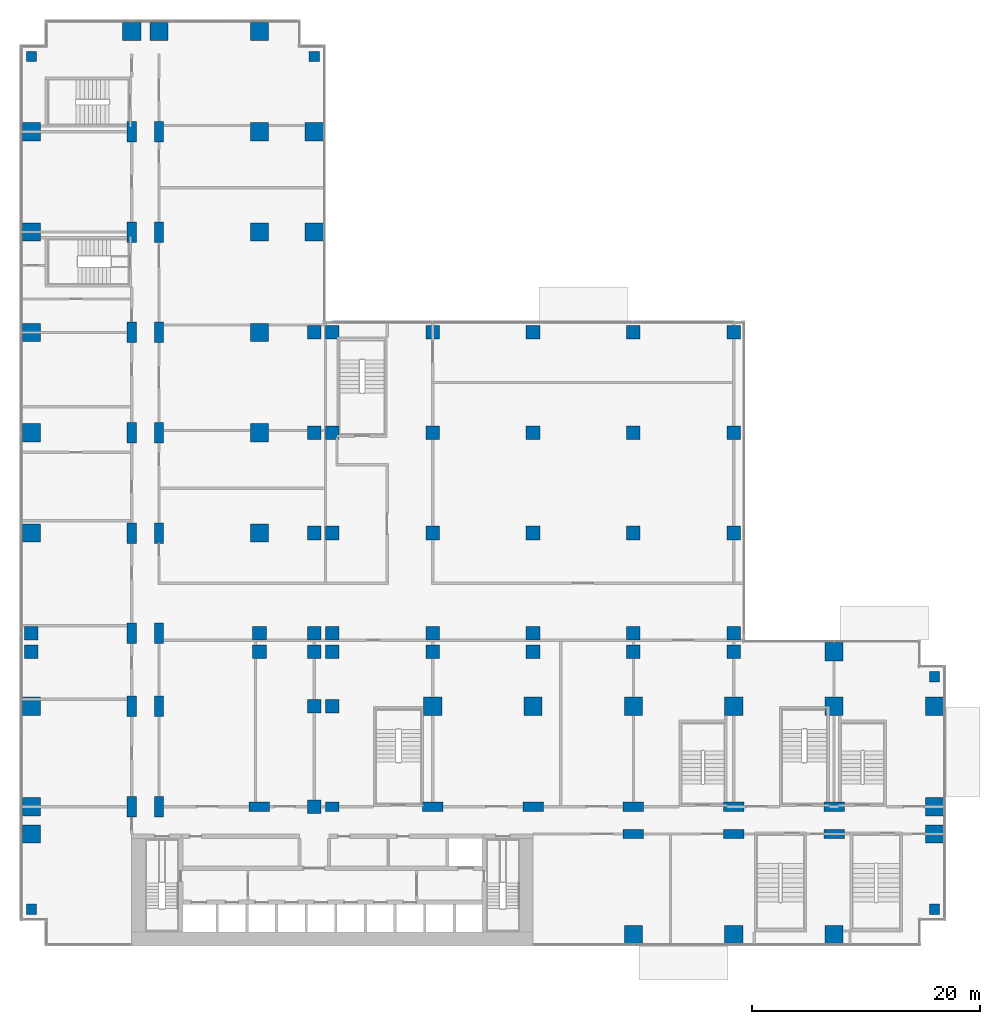
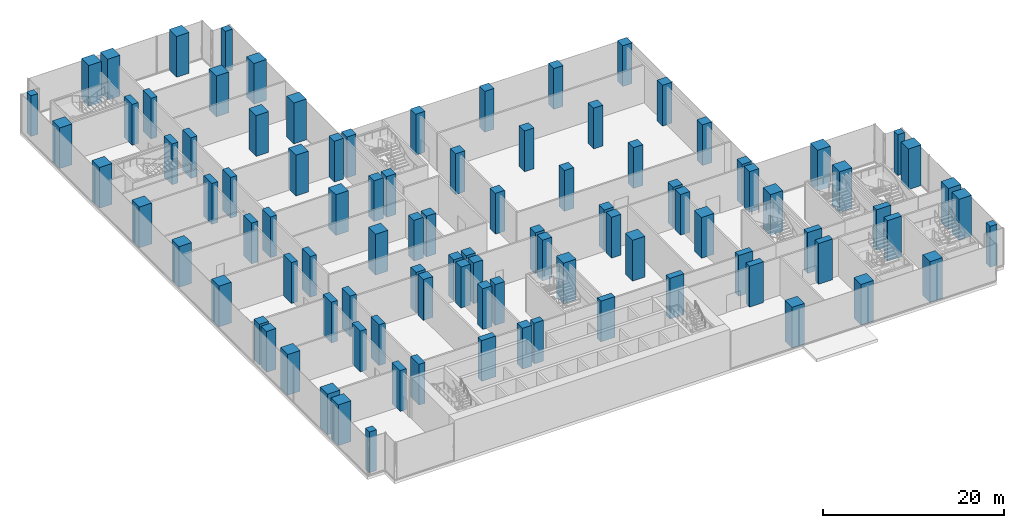
# One storey, part 1 of 30: 98 columns.
"""IFC4 building model written with IfcOpenShell, lengths in metres."""

from ifc_helpers import new_model, si_unit, direction, frame, origin, origin_2d, place, context, subcontext, project, spatial, rectangle, extrude, material, material_profile, profile_set, type_object, element, save


model = new_model("IFC4")

# Units and contexts
model_context = context("Model", 3, precision=1e-05, world=origin(), true_north=direction((0.0, 1.0)))
body_context = subcontext(model_context, "Body", "Model", "MODEL_VIEW")
ifc_project = project(units=[si_unit("LENGTHUNIT", "METRE"), si_unit("AREAUNIT", "SQUARE_METRE"), si_unit("VOLUMEUNIT", "CUBIC_METRE"), si_unit("PLANEANGLEUNIT", "RADIAN"), si_unit("MASSUNIT", "GRAM", prefix="KILO")], contexts=[model_context])

# Site, building, storey
site_placement = place(None, origin())
site = spatial("IfcSite", under=ifc_project, at=site_placement, CompositionType="ELEMENT")
building_placement = place(site_placement, origin())
building = spatial("IfcBuilding", under=site, at=building_placement, Name="Kemantara Hotel Tower", CompositionType="ELEMENT")
storey_placement = place(building_placement, frame((0.0, 0.0, 7.5)))
storey = spatial("IfcBuildingStorey", under=building, at=storey_placement, Name="L01", CompositionType="ELEMENT", Elevation=7.5)

# Columns
ifc_material = material(Name="Concrete fc 70 MPa", Category="concrete")
ifc_material_profile_1 = material_profile(ifc_material, rectangle(XDim=1.199951171875, YDim=1.199951171875, at=origin_2d()), Name="RC 1200X1200")
ifc_profile_set_1 = profile_set([ifc_material_profile_1], Name="Concrete fc 70 MPa")
column_type_1 = type_object("IfcColumnType", Name="RC COLUMN 1200X1200 FC70", PredefinedType="COLUMN", material=ifc_profile_set_1)
for number, where, z_axis, x_axis, name in (
    (1, (1.0, 25.800048828125, 0.0), (0.0, 0.0, 1.0), (1.0, 0.0, 0.0), "COLUMN 1/CA L01"),
    (2, (1.0, 27.39990234375, 0.0), (0.0, 0.0, 1.0), (1.0, 0.0, 0.0), "COLUMN 1/D L01"),
    (3, (21.0, 25.800048828125, 0.0), (0.0, 0.0, 1.0), (1.0, 0.0, 0.0), "COLUMN 3/CA L01"),
    (4, (21.0, 27.39990234375, 0.0), (0.0, 0.0, 1.0), (1.0, 0.0, 0.0), "COLUMN 3/D L01"),
    (5, (25.800048828125, 12.199951171875, 0.0), (0.0, 0.0, 1.0), (1.0, 0.0, 0.0), "COLUMN 3A/BA L01"),
    (6, (25.800048828125, 21.0, 0.0), (0.0, 0.0, 1.0), (1.0, 0.0, 0.0), "COLUMN 3A/C L01"),
    (7, (25.800048828125, 25.800048828125, 0.0), (0.0, 0.0, 1.0), (1.0, 0.0, 0.0), "COLUMN 3A/CA L01"),
    (8, (25.800048828125, 27.39990234375, 0.0), (0.0, 0.0, 1.0), (1.0, 0.0, 0.0), "COLUMN 3A/D L01"),
    (9, (25.800048828125, 36.199951171875, 0.0), (0.0, 0.0, 1.0), (1.0, 0.0, 0.0), "COLUMN 3A/E L01"),
    (10, (25.800048828125, 45.0, 0.0), (0.0, 0.0, 1.0), (1.0, 0.0, 0.0), "COLUMN 3A/F L01"),
    (11, (25.800048828125, 53.800048828125, 0.0), (0.0, 0.0, 1.0), (1.0, 0.0, 0.0), "COLUMN 3A/G L01"),
    (12, (27.39990234375, 21.0, 0.0), (0.0, 0.0, 1.0), (1.0, 0.0, 0.0), "COLUMN 4/C L01"),
    (13, (27.39990234375, 25.800048828125, 0.0), (0.0, 0.0, 1.0), (1.0, 0.0, 0.0), "COLUMN 4/CA L01"),
    (14, (36.199951171875, 25.800048828125, 0.0), (0.0, 0.0, 1.0), (1.0, 0.0, 0.0), "COLUMN 5/CA L01"),
    (15, (45.0, 25.800048828125, 0.0), (0.0, 0.0, 1.0), (1.0, 0.0, 0.0), "COLUMN 6/CA L01"),
    (16, (53.800048828125, 25.800048828125, 0.0), (0.0, 0.0, 1.0), (1.0, 0.0, 0.0), "COLUMN 7/CA L01"),
    (17, (62.60009765625, 25.800048828125, 0.0), (0.0, 0.0, 1.0), (1.0, 0.0, 0.0), "COLUMN 8/CA L01"),
    (18, (27.39990234375, 27.39990234375, 0.0), (0.0, 0.0, 1.0), (1.0, 0.0, 0.0), "COLUMN 4/D L01"),
    (19, (27.39990234375, 36.199951171875, 0.0), (0.0, 0.0, 1.0), (1.0, 0.0, 0.0), "COLUMN 4/E L01"),
    (20, (27.39990234375, 45.0, 0.0), (0.0, 0.0, 1.0), (1.0, 0.0, 0.0), "COLUMN 4/F L01"),
    (21, (27.39990234375, 53.800048828125, 0.0), (0.0, 0.0, 1.0), (1.0, 0.0, 0.0), "COLUMN 4/G L01"),
    (22, (36.199951171875, 27.39990234375, 0.0), (0.0, 0.0, 1.0), (1.0, 0.0, 0.0), "COLUMN 5/D L01"),
    (23, (36.199951171875, 36.199951171875, 0.0), (0.0, 0.0, 1.0), (1.0, 0.0, 0.0), "COLUMN 5/E L01"),
    (24, (36.199951171875, 45.0, 0.0), (0.0, 0.0, 1.0), (1.0, 0.0, 0.0), "COLUMN 5/F L01"),
    (25, (36.199951171875, 53.800048828125, 0.0), (0.0, 0.0, 1.0), (1.0, 0.0, 0.0), "COLUMN 5/G L01"),
    (26, (45.0, 27.39990234375, 0.0), (0.0, 0.0, 1.0), (1.0, 0.0, 0.0), "COLUMN 6/D L01"),
    (27, (45.0, 36.199951171875, 0.0), (0.0, 0.0, 1.0), (1.0, 0.0, 0.0), "COLUMN 6/E L01"),
    (28, (45.0, 45.0, 0.0), (0.0, 0.0, 1.0), (1.0, 0.0, 0.0), "COLUMN 6/F L01"),
    (29, (45.0, 53.800048828125, 0.0), (0.0, 0.0, 1.0), (1.0, 0.0, 0.0), "COLUMN 6/G L01"),
    (30, (53.800048828125, 27.39990234375, 0.0), (0.0, 0.0, 1.0), (1.0, 0.0, 0.0), "COLUMN 7/D L01"),
    (31, (53.800048828125, 36.199951171875, 0.0), (0.0, 0.0, 1.0), (1.0, 0.0, 0.0), "COLUMN 7/E L01"),
    (32, (53.800048828125, 45.0, 0.0), (0.0, 0.0, 1.0), (1.0, 0.0, 0.0), "COLUMN 7/F L01"),
    (33, (53.800048828125, 53.800048828125, 0.0), (0.0, 0.0, 1.0), (1.0, 0.0, 0.0), "COLUMN 7/G L01"),
    (34, (62.60009765625, 27.39990234375, 0.0), (0.0, 0.0, 1.0), (1.0, 0.0, 0.0), "COLUMN 8/D L01"),
    (35, (62.60009765625, 36.199951171875, 0.0), (0.0, 0.0, 1.0), (1.0, 0.0, 0.0), "COLUMN 8/E L01"),
    (36, (62.60009765625, 45.0, 0.0), (0.0, 0.0, 1.0), (1.0, 0.0, 0.0), "COLUMN 8/F L01"),
    (37, (62.60009765625, 53.800048828125, 0.0), (0.0, 0.0, 1.0), (1.0, 0.0, 0.0), "COLUMN 8/G L01"),
):
    element("IfcColumn", number, at=place(storey_placement, frame(where, z_axis=z_axis, x_axis=x_axis)), inside=storey, type_object=column_type_1, Name=name, PredefinedType="COLUMN", context=body_context, shape_type="SweptSolid", body=[
        extrude(rectangle(XDim=1.199951171875, YDim=1.199951171875, at=origin_2d()), origin(), (0.0, 0.0, 1.0), 5.5),
    ])
ifc_material_profile_2 = material_profile(ifc_material, rectangle(XDim=1.199951171875, YDim=0.800048828125, at=origin_2d()), Name="RC 1200X800")
ifc_profile_set_2 = profile_set([ifc_material_profile_2], Name="Concrete fc 70 MPa")
column_type_2 = type_object("IfcColumnType", Name="RC COLUMN 1200X800 FC70", PredefinedType="COLUMN", material=ifc_profile_set_2)
column_placement = place(storey_placement, frame((27.39990234375, 12.199951171875, 0.0), z_axis=(0.0, 0.0, 1.0), x_axis=(1.0, 0.0, 0.0)))
element("IfcColumn", 38, at=column_placement, inside=storey, type_object=column_type_2, Name="COLUMN 4/BA L01", PredefinedType="COLUMN", context=body_context, shape_type="SweptSolid", body=[
    extrude(rectangle(XDim=1.199951171875, YDim=0.800048828125, at=origin_2d()), origin(), (0.0, 0.0, 1.0), 5.5),
])
ifc_material_profile_3 = material_profile(ifc_material, rectangle(XDim=1.60009765625, YDim=1.60009765625, at=origin_2d()), Name="RC 1600X1600")
ifc_profile_set_3 = profile_set([ifc_material_profile_3], Name="Concrete fc 70 MPa")
column_type_3 = type_object("IfcColumnType", Name="RC COLUMN 1600X1600 FC70", PredefinedType="COLUMN", material=ifc_profile_set_3)
for number, where, z_axis, x_axis, name in (
    (39, (1.0, 9.800048828125, 0.0), (0.0, 0.0, 1.0), (1.0, 0.0, 0.0), "COLUMN 1/B L01"),
    (40, (1.0, 12.199951171875, 0.0), (0.0, 0.0, 1.0), (1.0, 0.0, 0.0), "COLUMN 1/BA L01"),
    (41, (1.0, 21.0, 0.0), (0.0, 0.0, 1.0), (1.0, 0.0, 0.0), "COLUMN 1/C L01"),
    (42, (1.0, 36.199951171875, 0.0), (0.0, 0.0, 1.0), (1.0, 0.0, 0.0), "COLUMN 1/E L01"),
    (43, (1.0, 45.0, 0.0), (0.0, 0.0, 1.0), (1.0, 0.0, 0.0), "COLUMN 1/F L01"),
    (44, (1.0, 53.800048828125, 0.0), (0.0, 0.0, 1.0), (1.0, 0.0, 0.0), "COLUMN 1/G L01"),
    (45, (1.0, 62.60009765625, 0.0), (0.0, 0.0, 1.0), (1.0, 0.0, 0.0), "COLUMN 1/H L01"),
    (46, (1.0, 71.39990234375, 0.0), (0.0, 0.0, 1.0), (1.0, 0.0, 0.0), "COLUMN 1/J L01"),
    (47, (9.800048828125, 80.199951171875, 0.0), (0.0, 0.0, 1.0), (1.0, 0.0, 0.0), "COLUMN 2/K L01"),
    (48, (12.199951171875, 80.199951171875, 0.0), (0.0, 0.0, 1.0), (1.0, 0.0, 0.0), "COLUMN 2A/K L01"),
    (49, (21.0, 36.199951171875, 0.0), (0.0, 0.0, 1.0), (1.0, 0.0, 0.0), "COLUMN 3/E L01"),
    (50, (21.0, 45.0, 0.0), (0.0, 0.0, 1.0), (1.0, 0.0, 0.0), "COLUMN 3/F L01"),
    (51, (21.0, 53.800048828125, 0.0), (0.0, 0.0, 1.0), (1.0, 0.0, 0.0), "COLUMN 3/G L01"),
    (52, (21.0, 62.60009765625, 0.0), (0.0, 0.0, 1.0), (1.0, 0.0, 0.0), "COLUMN 3/H L01"),
    (53, (21.0, 71.39990234375, 0.0), (0.0, 0.0, 1.0), (1.0, 0.0, 0.0), "COLUMN 3/J L01"),
    (54, (21.0, 80.199951171875, 0.0), (0.0, 0.0, 1.0), (1.0, 0.0, 0.0), "COLUMN 3/K L01"),
    (55, (25.800048828125, 62.60009765625, 0.0), (0.0, 0.0, 1.0), (1.0, 0.0, 0.0), "COLUMN 3A/H L01"),
    (56, (25.800048828125, 71.39990234375, 0.0), (0.0, 0.0, 1.0), (1.0, 0.0, 0.0), "COLUMN 3A/J L01"),
    (57, (36.199951171875, 21.0, 0.0), (0.0, 0.0, 1.0), (1.0, 0.0, 0.0), "COLUMN 5/C L01"),
    (58, (45.0, 21.0, 0.0), (0.0, 0.0, 1.0), (1.0, 0.0, 0.0), "COLUMN 6/C L01"),
    (59, (53.800048828125, 1.0, 0.0), (0.0, 0.0, 1.0), (1.0, 0.0, 0.0), "COLUMN 7/A L01"),
    (60, (53.800048828125, 21.0, 0.0), (0.0, 0.0, 1.0), (1.0, 0.0, 0.0), "COLUMN 7/C L01"),
    (61, (62.60009765625, 1.0, 0.0), (0.0, 0.0, 1.0), (1.0, 0.0, 0.0), "COLUMN 8/A L01"),
    (62, (62.60009765625, 21.0, 0.0), (0.0, 0.0, 1.0), (1.0, 0.0, 0.0), "COLUMN 8/C L01"),
    (63, (71.39990234375, 1.0, 0.0), (0.0, 0.0, 1.0), (1.0, 0.0, 0.0), "COLUMN 9/A L01"),
    (64, (71.39990234375, 21.0, 0.0), (0.0, 0.0, 1.0), (1.0, 0.0, 0.0), "COLUMN 9/C L01"),
    (65, (71.39990234375, 25.800048828125, 0.0), (0.0, 0.0, 1.0), (1.0, 0.0, 0.0), "COLUMN 9/CA L01"),
    (66, (80.199951171875, 9.800048828125, 0.0), (0.0, 0.0, 1.0), (1.0, 0.0, 0.0), "COLUMN 10/B L01"),
    (67, (80.199951171875, 12.199951171875, 0.0), (0.0, 0.0, 1.0), (1.0, 0.0, 0.0), "COLUMN 10/BA L01"),
    (68, (80.199951171875, 21.0, 0.0), (0.0, 0.0, 1.0), (1.0, 0.0, 0.0), "COLUMN 10/C L01"),
):
    element("IfcColumn", number, at=place(storey_placement, frame(where, z_axis=z_axis, x_axis=x_axis)), inside=storey, type_object=column_type_3, Name=name, PredefinedType="COLUMN", context=body_context, shape_type="SweptSolid", body=[
        extrude(rectangle(XDim=1.60009765625, YDim=1.60009765625, at=origin_2d()), origin(), (0.0, 0.0, 1.0), 5.5),
    ])
ifc_material_profile_4 = material_profile(ifc_material, rectangle(XDim=1.800048828125, YDim=0.800048828125, at=origin_2d()), Name="RC 1800X800")
ifc_profile_set_4 = profile_set([ifc_material_profile_4], Name="Concrete fc 70 MPa")
column_type_4 = type_object("IfcColumnType", Name="RC COLUMN 1800X800 FC70", PredefinedType="COLUMN", material=ifc_profile_set_4)
for number, where, z_axis, x_axis, name in (
    (69, (9.800048828125, 12.199951171875, 0.0), (0.0, 0.0, 1.0), (0.0, 1.0, 0.0), "COLUMN 2/BA L01"),
    (70, (9.800048828125, 21.0, 0.0), (0.0, 0.0, 1.0), (0.0, 1.0, 0.0), "COLUMN 2/C L01"),
    (71, (9.800048828125, 27.39990234375, 0.0), (0.0, 0.0, 1.0), (0.0, 1.0, 0.0), "COLUMN 2/D L01"),
    (72, (9.800048828125, 36.199951171875, 0.0), (0.0, 0.0, 1.0), (0.0, 1.0, 0.0), "COLUMN 2/E L01"),
    (73, (9.800048828125, 45.0, 0.0), (0.0, 0.0, 1.0), (0.0, 1.0, 0.0), "COLUMN 2/F L01"),
    (74, (9.800048828125, 53.800048828125, 0.0), (0.0, 0.0, 1.0), (0.0, 1.0, 0.0), "COLUMN 2/G L01"),
    (75, (9.800048828125, 62.60009765625, 0.0), (0.0, 0.0, 1.0), (0.0, 1.0, 0.0), "COLUMN 2/H L01"),
    (76, (9.800048828125, 71.39990234375, 0.0), (0.0, 0.0, 1.0), (0.0, 1.0, 0.0), "COLUMN 2/J L01"),
    (77, (12.199951171875, 12.199951171875, 0.0), (0.0, 0.0, 1.0), (0.0, 1.0, 0.0), "COLUMN 2A/BA L01"),
    (78, (12.199951171875, 21.0, 0.0), (0.0, 0.0, 1.0), (0.0, 1.0, 0.0), "COLUMN 2A/C L01"),
    (79, (12.199951171875, 27.39990234375, 0.0), (0.0, 0.0, 1.0), (0.0, 1.0, 0.0), "COLUMN 2A/D L01"),
    (80, (12.199951171875, 36.199951171875, 0.0), (0.0, 0.0, 1.0), (0.0, 1.0, 0.0), "COLUMN 2A/E L01"),
    (81, (12.199951171875, 45.0, 0.0), (0.0, 0.0, 1.0), (0.0, 1.0, 0.0), "COLUMN 2A/F L01"),
    (82, (12.199951171875, 53.800048828125, 0.0), (0.0, 0.0, 1.0), (0.0, 1.0, 0.0), "COLUMN 2A/G L01"),
    (83, (12.199951171875, 62.60009765625, 0.0), (0.0, 0.0, 1.0), (0.0, 1.0, 0.0), "COLUMN 2A/H L01"),
    (84, (12.199951171875, 71.39990234375, 0.0), (0.0, 0.0, 1.0), (0.0, 1.0, 0.0), "COLUMN 2A/J L01"),
    (85, (21.0, 12.199951171875, 0.0), (0.0, 0.0, 1.0), (1.0, 0.0, 0.0), "COLUMN 3/BA L01"),
    (86, (36.199951171875, 12.199951171875, 0.0), (0.0, 0.0, 1.0), (1.0, 0.0, 0.0), "COLUMN 5/BA L01"),
    (87, (45.0, 12.199951171875, 0.0), (0.0, 0.0, 1.0), (1.0, 0.0, 0.0), "COLUMN 6/BA L01"),
    (88, (53.800048828125, 9.800048828125, 0.0), (0.0, 0.0, 1.0), (1.0, 0.0, 0.0), "COLUMN 7/B L01"),
    (89, (53.800048828125, 12.199951171875, 0.0), (0.0, 0.0, 1.0), (1.0, 0.0, 0.0), "COLUMN 7/BA L01"),
    (90, (62.60009765625, 9.800048828125, 0.0), (0.0, 0.0, 1.0), (1.0, 0.0, 0.0), "COLUMN 8/B L01"),
    (91, (62.60009765625, 12.199951171875, 0.0), (0.0, 0.0, 1.0), (1.0, 0.0, 0.0), "COLUMN 8/BA L01"),
    (92, (71.39990234375, 9.800048828125, 0.0), (0.0, 0.0, 1.0), (1.0, 0.0, 0.0), "COLUMN 9/B L01"),
    (93, (71.39990234375, 12.199951171875, 0.0), (0.0, 0.0, 1.0), (1.0, 0.0, 0.0), "COLUMN 9/BA L01"),
):
    element("IfcColumn", number, at=place(storey_placement, frame(where, z_axis=z_axis, x_axis=x_axis)), inside=storey, type_object=column_type_4, Name=name, PredefinedType="COLUMN", context=body_context, shape_type="SweptSolid", body=[
        extrude(rectangle(XDim=1.800048828125, YDim=0.800048828125, at=origin_2d()), origin(), (0.0, 0.0, 1.0), 5.5),
    ])
ifc_material_profile_5 = material_profile(ifc_material, rectangle(XDim=0.89990234375, YDim=0.89990234375, at=origin_2d()), Name="RC 900X900")
ifc_profile_set_5 = profile_set([ifc_material_profile_5], Name="Concrete fc 70 MPa")
column_type_5 = type_object("IfcColumnType", Name="RC COLUMN 900X900 FC70", PredefinedType="COLUMN", material=ifc_profile_set_5)
for number, where, z_axis, x_axis, name in (
    (94, (1.0, 3.199951171875, 0.0), (0.0, 0.0, 1.0), (1.0, 0.0, 0.0), "COLUMN notch corner L01"),
    (95, (1.0, 78.0, 0.0), (0.0, 0.0, 1.0), (1.0, 0.0, 0.0), "COLUMN notch corner L01"),
    (96, (25.800048828125, 78.0, 0.0), (0.0, 0.0, 1.0), (1.0, 0.0, 0.0), "COLUMN notch corner L01"),
    (97, (80.199951171875, 3.199951171875, 0.0), (0.0, 0.0, 1.0), (1.0, 0.0, 0.0), "COLUMN notch corner L01"),
    (98, (80.199951171875, 23.60009765625, 0.0), (0.0, 0.0, 1.0), (1.0, 0.0, 0.0), "COLUMN notch corner L01"),
):
    element("IfcColumn", number, at=place(storey_placement, frame(where, z_axis=z_axis, x_axis=x_axis)), inside=storey, type_object=column_type_5, Name=name, PredefinedType="COLUMN", context=body_context, shape_type="SweptSolid", body=[
        extrude(rectangle(XDim=0.89990234375, YDim=0.89990234375, at=origin_2d()), origin(), (0.0, 0.0, 1.0), 5.5),
    ])

save(model, "model.ifc")
